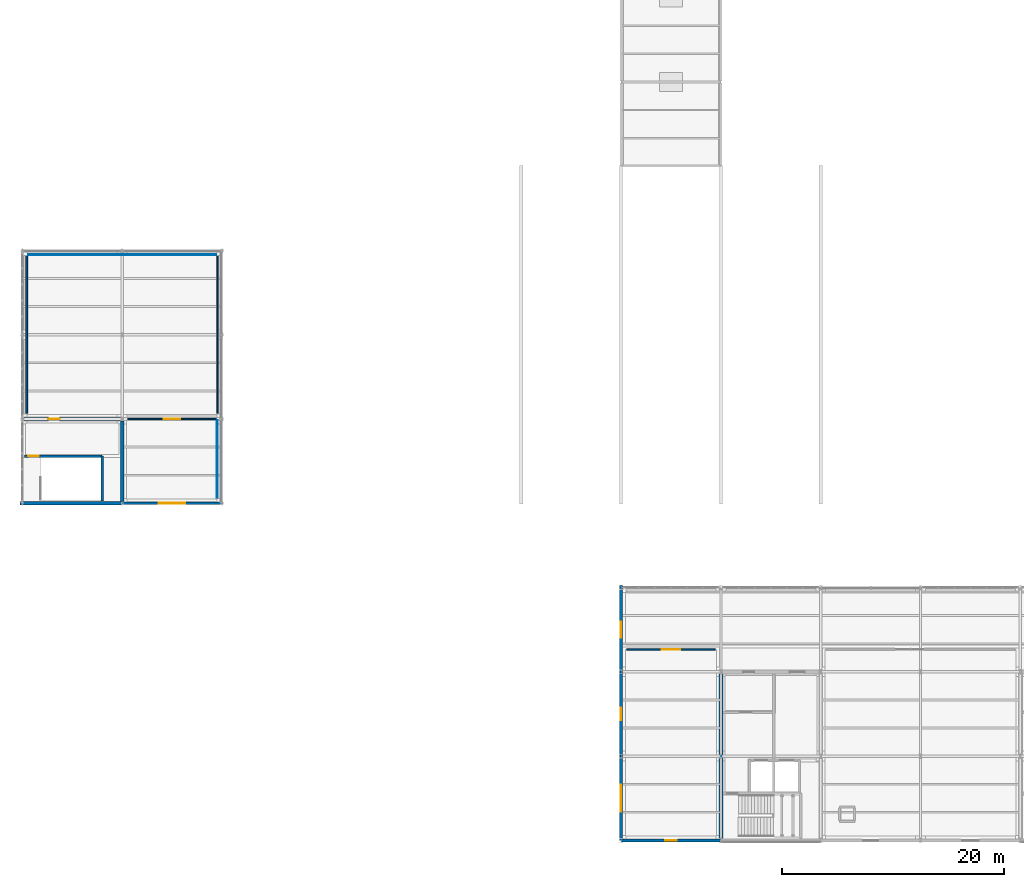
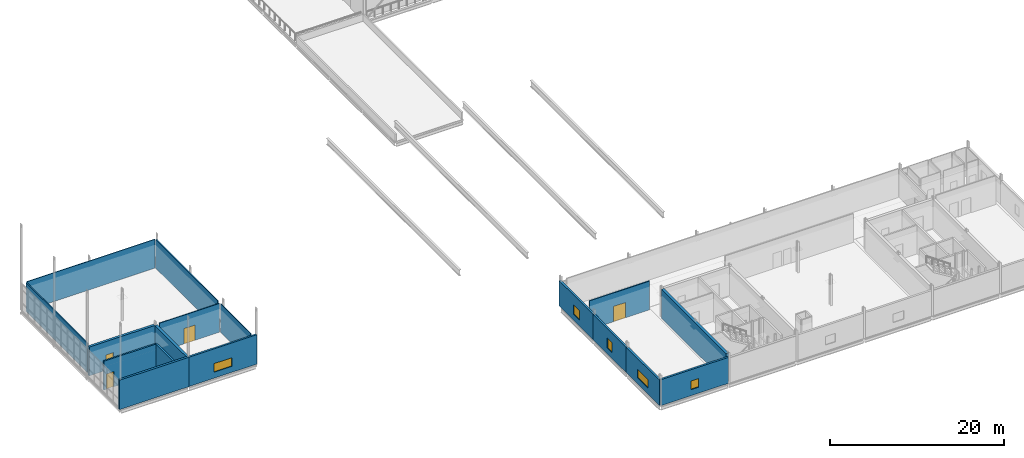
# One storey, part 85 of 96: 17 walls, 5 windows, 4 doors, 9 openings.
"""IFC4 building model written with IfcOpenShell, lengths in metres."""

from ifc_helpers import new_model, si_unit, direction, frame, frame_2d, origin, place, context, subcontext, project, spatial, rectangle, extrude, material, layer, layer_set, type_object, element, fill, save


model = new_model("IFC4")

# Units and contexts
model_context = context("Model", 3, precision=1e-05, world=origin(), true_north=direction((0.0, 1.0)))
body_context = subcontext(model_context, "Body", "Model", "MODEL_VIEW")
ifc_project = project(units=[si_unit("LENGTHUNIT", "METRE"), si_unit("AREAUNIT", "SQUARE_METRE"), si_unit("VOLUMEUNIT", "CUBIC_METRE"), si_unit("PLANEANGLEUNIT", "RADIAN"), si_unit("MASSUNIT", "GRAM", prefix="KILO")], contexts=[model_context])

# Site, building, storey
site_placement = place(None, origin())
site = spatial("IfcSite", under=ifc_project, at=site_placement, CompositionType="ELEMENT")
building_placement = place(site_placement, origin())
building = spatial("IfcBuilding", under=site, at=building_placement, Name="Caisbarro Railhouse Central Library", CompositionType="ELEMENT")
storey_placement = place(building_placement, frame((0.0, 0.0, 13.679931640625)))
storey = spatial("IfcBuildingStorey", under=building, at=storey_placement, Name="L03", CompositionType="ELEMENT", Elevation=13.679931640625)

# Wall, opening, door
ifc_material_1 = material(Name="Concrete C40", Category="concrete")
ifc_layer_1 = layer(ifc_material_1, 0.320068359375, Name="Concrete C40")
ifc_layer_set_1 = layer_set([ifc_layer_1], Name="Concrete C40")
wall_type_1 = type_object("IfcWallType", Name="WAL-CW32", PredefinedType="SHEAR", material=ifc_layer_set_1)
wall_1_placement = place(storey_placement, frame((0.159912109375, 38.0, 0.0), z_axis=(0.0, 0.0, 1.0), x_axis=(1.0, 0.0, 0.0)))
wall_1 = element("IfcWall", 1, at=wall_1_placement, inside=storey, type_object=wall_type_1, Name="CW32 RC core shear wall L03 #88", PredefinedType="SHEAR", context=body_context, shape_type="SweptSolid", body=[
    extrude(rectangle(XDim=8.68017578125, YDim=0.320068359375, at=frame_2d((4.340087890625, 0.0))), origin(), (0.0, 0.0, 1.0), 4.0400390625),
])
opening_1_placement = place(wall_1_placement, frame((2.199951171875, 0.0, 0.0)))
opening_1 = element("IfcOpeningElement", 2, at=opening_1_placement, cuts=wall_1, Name="Opening FD05", PredefinedType="OPENING", context=body_context, shape_type="SweptSolid", body=[
    extrude(rectangle(XDim=1.0, YDim=2.14990234375, at=frame_2d((0.5, 1.074951171875))), frame((0.0, 0.169921875, 0.0), z_axis=(0.0, -1.0, 0.0), x_axis=(1.0, 0.0, 0.0)), (0.0, 0.0, 1.0), 0.340087890625),
])
ifc_material_2 = material(Name="Fire-rated painted galvanised steel", Category="steel")
door_type_1 = type_object("IfcDoorType", Name="DR-FD05", OperationType="NOTDEFINED", PredefinedType="DOOR", material=ifc_material_2)
door_1_placement = place(opening_1_placement, origin())
door_1 = element("IfcDoor", 3, at=door_1_placement, inside=storey, type_object=door_type_1, Name="Core K6 Lobby Door FD05 L03-126", OperationType="SINGLE_SWING_LEFT", OverallHeight=2.14990234375, OverallWidth=1.0, PredefinedType="DOOR", context=body_context, shape_type="SweptSolid", body=[
    extrude(rectangle(XDim=1.0, YDim=2.14990234375, at=frame_2d((0.5, 1.074951171875))), frame((0.0, 0.02490234375, 0.0), z_axis=(0.0, -1.0, 0.0), x_axis=(1.0, 0.0, 0.0)), (0.0, 0.0, 1.0), 0.050048828125),
])
fill(opening_1, door_1)

# Walls
wall_2_placement = place(storey_placement, frame((9.0, 30.56005859375, 0.0), z_axis=(0.0, 0.0, 1.0), x_axis=(0.0, 1.0, 0.0)))
element("IfcWall", 4, at=wall_2_placement, inside=storey, type_object=wall_type_1, Name="CW32 RC core shear wall L03 #89", PredefinedType="SHEAR", context=body_context, shape_type="SweptSolid", body=[
    extrude(rectangle(XDim=7.280029296875, YDim=0.320068359375, at=frame_2d((3.64013671875, 0.0))), origin(), (0.0, 0.0, 1.0), 4.0400390625),
])
ifc_layer_2 = layer(ifc_material_1, 0.35009765625, Name="Concrete C40")
ifc_layer_set_2 = layer_set([ifc_layer_2], Name="Concrete C40")
wall_type_2 = type_object("IfcWallType", Name="WAL-CW35", PredefinedType="SHEAR", material=ifc_layer_set_2)
wall_3_placement = place(storey_placement, frame((63.0, 0.159912109375, 0.0), z_axis=(0.0, 0.0, 1.0), x_axis=(0.0, 1.0, 0.0)))
element("IfcWall", 5, at=wall_3_placement, inside=storey, type_object=wall_type_2, Name="CW35 RC core shear wall L03 #14", PredefinedType="SHEAR", context=body_context, shape_type="SweptSolid", body=[
    extrude(rectangle(XDim=14.880126953125, YDim=0.35009765625, at=frame_2d((7.43994140625, 0.0))), origin(), (0.0, 0.0, 1.0), 4.0400390625),
])

# Wall, opening, window
ifc_material_3 = material(Name="Concrete C35 insulated architectural precast", Category="concrete")
ifc_layer_3 = layer(ifc_material_3, 0.239990234375, Name="Concrete C35 insulated architectural precast")
ifc_layer_set_3 = layer_set([ifc_layer_3], Name="Concrete C35 insulated architectural precast")
wall_type_3 = type_object("IfcWallType", Name="WAL-EW24", PredefinedType="STANDARD", material=ifc_layer_set_3)
wall_4_placement = place(storey_placement, frame((9.0, 30.39990234375, 0.0), z_axis=(0.0, 0.0, 1.0), x_axis=(1.0, 0.0, 0.0)))
wall_4 = element("IfcWall", 6, at=wall_4_placement, inside=storey, type_object=wall_type_3, Name="EW24 exterior wall L03 #38", PredefinedType="STANDARD", context=body_context, shape_type="SweptSolid", body=[
    extrude(rectangle(XDim=9.0, YDim=0.239990234375, at=frame_2d((4.5, 0.0))), origin(), (0.0, 0.0, 1.0), 4.1201171875),
])
opening_2_placement = place(wall_4_placement, frame((3.300048828125, 0.0, 0.85009765625)))
opening_2 = element("IfcOpeningElement", 7, at=opening_2_placement, cuts=wall_4, Name="Opening W09", PredefinedType="OPENING", context=body_context, shape_type="SweptSolid", body=[
    extrude(rectangle(XDim=2.39990234375, YDim=1.199951171875, at=frame_2d((1.199951171875, 0.60009765625))), frame((0.0, 0.1298828125, 0.0), z_axis=(0.0, -1.0, 0.0), x_axis=(1.0, 0.0, 0.0)), (0.0, 0.0, 1.0), 0.260009765625),
])
ifc_material_4 = material(Name="Double low-e laminated solar-control glass", Category="glass")
window_type_1 = type_object("IfcWindowType", Name="WIN-W09", PartitioningType="SINGLE_PANEL", PredefinedType="WINDOW", material=ifc_material_4)
window_1_placement = place(opening_2_placement, origin())
window_1 = element("IfcWindow", 8, at=window_1_placement, inside=storey, type_object=window_type_1, Name="W09 window L03-001", OverallHeight=1.199951171875, OverallWidth=2.39990234375, PartitioningType="SINGLE_PANEL", PredefinedType="WINDOW", context=body_context, shape_type="SweptSolid", body=[
    extrude(rectangle(XDim=2.39990234375, YDim=1.199951171875, at=frame_2d((1.199951171875, 0.60009765625))), frame((0.0, 0.030029296875, 0.0), z_axis=(0.0, -1.0, 0.0), x_axis=(1.0, 0.0, 0.0)), (0.0, 0.0, 1.0), 0.06005859375),
])
fill(opening_2, window_1)

ifc_layer_4 = layer(ifc_material_3, 0.260009765625, Name="Concrete C35 insulated architectural precast")
ifc_layer_set_4 = layer_set([ifc_layer_4], Name="Concrete C35 insulated architectural precast")
wall_type_4 = type_object("IfcWallType", Name="WAL-EW26", PredefinedType="STANDARD", material=ifc_layer_set_4)
wall_5_placement = place(storey_placement, frame((54.0, 0.0, 0.0), z_axis=(0.0, 0.0, 1.0), x_axis=(1.0, 0.0, 0.0)))
wall_5 = element("IfcWall", 9, at=wall_5_placement, inside=storey, type_object=wall_type_4, Name="EW26 exterior wall L03 #105", PredefinedType="STANDARD", context=body_context, shape_type="SweptSolid", body=[
    extrude(rectangle(XDim=9.0, YDim=0.260009765625, at=frame_2d((4.5, 0.0))), origin(), (0.0, 0.0, 1.0), 3.64111328125),
])
opening_3_placement = place(wall_5_placement, frame((3.97509765625, 0.0, 0.85009765625)))
opening_3 = element("IfcOpeningElement", 10, at=opening_3_placement, cuts=wall_5, Name="Opening W02", PredefinedType="OPENING", context=body_context, shape_type="SweptSolid", body=[
    extrude(rectangle(XDim=1.050048828125, YDim=1.199951171875, at=frame_2d((0.52490234375, 0.60009765625))), frame((0.0, 0.14013671875, 0.0), z_axis=(0.0, -1.0, 0.0), x_axis=(1.0, 0.0, 0.0)), (0.0, 0.0, 1.0), 0.280029296875),
])
window_type_2 = type_object("IfcWindowType", Name="WIN-W02", PartitioningType="SINGLE_PANEL", PredefinedType="WINDOW", material=ifc_material_4)
window_2_placement = place(opening_3_placement, origin())
window_2 = element("IfcWindow", 11, at=window_2_placement, inside=storey, type_object=window_type_2, Name="W02 window L03-027", OverallHeight=1.199951171875, OverallWidth=1.050048828125, PartitioningType="SINGLE_PANEL", PredefinedType="WINDOW", context=body_context, shape_type="SweptSolid", body=[
    extrude(rectangle(XDim=1.050048828125, YDim=1.199951171875, at=frame_2d((0.52490234375, 0.60009765625))), frame((0.0, 0.030029296875, 0.0), z_axis=(0.0, -1.0, 0.0), x_axis=(1.0, 0.0, 0.0)), (0.0, 0.0, 1.0), 0.06005859375),
])
fill(opening_3, window_2)

wall_6_placement = place(storey_placement, frame((54.0, 0.0, 0.0), z_axis=(0.0, 0.0, 1.0), x_axis=(0.0, 1.0, 0.0)))
wall_6 = element("IfcWall", 12, at=wall_6_placement, inside=storey, type_object=wall_type_4, Name="EW26 exterior wall L03 #112", PredefinedType="STANDARD", context=body_context, shape_type="SweptSolid", body=[
    extrude(rectangle(XDim=7.60009765625, YDim=0.260009765625, at=frame_2d((3.800048828125, 0.0))), origin(), (0.0, 0.0, 1.0), 3.553955078125),
])
opening_4_placement = place(wall_6_placement, frame((2.60009765625, 0.0, 0.85009765625)))
opening_4 = element("IfcOpeningElement", 13, at=opening_4_placement, cuts=wall_6, Name="Opening W09", PredefinedType="OPENING", context=body_context, shape_type="SweptSolid", body=[
    extrude(rectangle(XDim=2.39990234375, YDim=1.199951171875, at=frame_2d((1.199951171875, 0.60009765625))), frame((0.0, 0.14013671875, 0.0), z_axis=(0.0, -1.0, 0.0), x_axis=(1.0, 0.0, 0.0)), (0.0, 0.0, 1.0), 0.280029296875),
])
window_3_placement = place(opening_4_placement, origin())
window_3 = element("IfcWindow", 14, at=window_3_placement, inside=storey, type_object=window_type_1, Name="W09 window L03-032", OverallHeight=1.199951171875, OverallWidth=2.39990234375, PartitioningType="SINGLE_PANEL", PredefinedType="WINDOW", context=body_context, shape_type="SweptSolid", body=[
    extrude(rectangle(XDim=2.39990234375, YDim=1.199951171875, at=frame_2d((1.199951171875, 0.60009765625))), frame((0.0, 0.030029296875, 0.0), z_axis=(0.0, -1.0, 0.0), x_axis=(1.0, 0.0, 0.0)), (0.0, 0.0, 1.0), 0.06005859375),
])
fill(opening_4, window_3)

wall_7_placement = place(storey_placement, frame((54.0, 7.60009765625, 0.0), z_axis=(0.0, 0.0, 1.0), x_axis=(0.0, 1.0, 0.0)))
wall_7 = element("IfcWall", 15, at=wall_7_placement, inside=storey, type_object=wall_type_4, Name="EW26 exterior wall L03 #114", PredefinedType="STANDARD", context=body_context, shape_type="SweptSolid", body=[
    extrude(rectangle(XDim=7.599853515625, YDim=0.260009765625, at=frame_2d((3.7998046875, 0.0))), origin(), (0.0, 0.0, 1.0), 3.553955078125),
])
opening_5_placement = place(wall_7_placement, frame((3.22509765625, 0.0, 0.85009765625)))
opening_5 = element("IfcOpeningElement", 16, at=opening_5_placement, cuts=wall_7, Name="Opening W11", PredefinedType="OPENING", context=body_context, shape_type="SweptSolid", body=[
    extrude(rectangle(XDim=1.14990234375, YDim=1.35009765625, at=frame_2d((0.574951171875, 0.675048828125))), frame((0.0, 0.14013671875, 0.0), z_axis=(0.0, -1.0, 0.0), x_axis=(1.0, 0.0, 0.0)), (0.0, 0.0, 1.0), 0.280029296875),
])
window_type_3 = type_object("IfcWindowType", Name="WIN-W11", PartitioningType="SINGLE_PANEL", PredefinedType="WINDOW", material=ifc_material_4)
window_4_placement = place(opening_5_placement, origin())
window_4 = element("IfcWindow", 17, at=window_4_placement, inside=storey, type_object=window_type_3, Name="W11 window L03-034", OverallHeight=1.35009765625, OverallWidth=1.14990234375, PartitioningType="SINGLE_PANEL", PredefinedType="WINDOW", context=body_context, shape_type="SweptSolid", body=[
    extrude(rectangle(XDim=1.14990234375, YDim=1.35009765625, at=frame_2d((0.574951171875, 0.675048828125))), frame((0.0, 0.030029296875, 0.0), z_axis=(0.0, -1.0, 0.0), x_axis=(1.0, 0.0, 0.0)), (0.0, 0.0, 1.0), 0.06005859375),
])
fill(opening_5, window_4)

wall_8_placement = place(storey_placement, frame((54.0, 15.199951171875, 0.0), z_axis=(0.0, 0.0, 1.0), x_axis=(0.0, 1.0, 0.0)))
wall_8 = element("IfcWall", 18, at=wall_8_placement, inside=storey, type_object=wall_type_4, Name="EW26 exterior wall L03 #116", PredefinedType="STANDARD", context=body_context, shape_type="SweptSolid", body=[
    extrude(rectangle(XDim=7.81005859375, YDim=0.260009765625, at=frame_2d((3.905029296875, 0.0))), origin(), (0.0, 0.0, 1.0), 3.553955078125),
])
opening_6_placement = place(wall_8_placement, frame((3.074951171875, 0.0, 0.85009765625)))
opening_6 = element("IfcOpeningElement", 19, at=opening_6_placement, cuts=wall_8, Name="Opening W13", PredefinedType="OPENING", context=body_context, shape_type="SweptSolid", body=[
    extrude(rectangle(XDim=1.449951171875, YDim=1.35009765625, at=frame_2d((0.72509765625, 0.675048828125))), frame((0.0, 0.14013671875, 0.0), z_axis=(0.0, -1.0, 0.0), x_axis=(1.0, 0.0, 0.0)), (0.0, 0.0, 1.0), 0.280029296875),
])
window_type_4 = type_object("IfcWindowType", Name="WIN-W13", PartitioningType="SINGLE_PANEL", PredefinedType="WINDOW", material=ifc_material_4)
window_5_placement = place(opening_6_placement, origin())
window_5 = element("IfcWindow", 20, at=window_5_placement, inside=storey, type_object=window_type_4, Name="W13 window L03-036", OverallHeight=1.35009765625, OverallWidth=1.449951171875, PartitioningType="SINGLE_PANEL", PredefinedType="WINDOW", context=body_context, shape_type="SweptSolid", body=[
    extrude(rectangle(XDim=1.449951171875, YDim=1.35009765625, at=frame_2d((0.72509765625, 0.675048828125))), frame((0.0, 0.030029296875, 0.0), z_axis=(0.0, -1.0, 0.0), x_axis=(1.0, 0.0, 0.0)), (0.0, 0.0, 1.0), 0.06005859375),
])
fill(opening_6, window_5)

# Walls
ifc_layer_5 = layer(ifc_material_1, 0.280029296875, Name="Concrete C40")
ifc_layer_set_5 = layer_set([ifc_layer_5], Name="Concrete C40")
wall_type_5 = type_object("IfcWallType", Name="WAL-EW28", PredefinedType="SOLIDWALL", material=ifc_layer_set_5)
wall_9_placement = place(storey_placement, frame((-0.2099609375, 30.39990234375, 0.0), z_axis=(0.0, 0.0, 1.0), x_axis=(1.0, 0.0, 0.0)))
element("IfcWall", 21, at=wall_9_placement, inside=storey, type_object=wall_type_5, Name="EW28 exterior wall L03 #37", PredefinedType="SOLIDWALL", context=body_context, shape_type="SweptSolid", body=[
    extrude(rectangle(XDim=9.2099609375, YDim=0.280029296875, at=frame_2d((4.60498046875, 0.0))), origin(), (0.0, 0.0, 1.0), 4.1201171875),
])
ifc_material_5 = material(Name="Acoustic gypsum board on galvanised steel studs", Category="steel")
ifc_layer_6 = layer(ifc_material_5, 0.090087890625, Name="Acoustic gypsum board on galvanised steel studs")
ifc_layer_set_6 = layer_set([ifc_layer_6], Name="Acoustic gypsum board on galvanised steel studs")
wall_type_6 = type_object("IfcWallType", Name="WAL-IW09", PredefinedType="PARTITIONING", material=ifc_layer_set_6)
wall_10_placement = place(storey_placement, frame((17.60009765625, 30.919921875, 0.0), z_axis=(0.0, 0.0, 1.0), x_axis=(0.0, 1.0, 0.0)))
element("IfcWall", 22, at=wall_10_placement, inside=storey, type_object=wall_type_6, Name="IW09 partition wall L03 #544", PredefinedType="PARTITIONING", context=body_context, shape_type="SweptSolid", body=[
    extrude(rectangle(XDim=6.9599609375, YDim=0.090087890625, at=frame_2d((3.47998046875, 0.0))), origin(), (0.0, 0.0, 1.0), 4.0400390625),
])
wall_11_placement = place(storey_placement, frame((0.52001953125, 52.800048828125, 0.0), z_axis=(0.0, 0.0, 1.0), x_axis=(1.0, 0.0, 0.0)))
element("IfcWall", 23, at=wall_11_placement, inside=storey, type_object=wall_type_6, Name="IW09 partition wall L03 #592", PredefinedType="PARTITIONING", context=body_context, shape_type="SweptSolid", body=[
    extrude(rectangle(XDim=16.9599609375, YDim=0.090087890625, at=frame_2d((8.47998046875, 0.0))), origin(), (0.0, 0.0, 1.0), 4.0400390625),
])

# Wall, opening, door
ifc_layer_7 = layer(ifc_material_5, 0.110107421875, Name="Acoustic gypsum board on galvanised steel studs")
ifc_layer_set_7 = layer_set([ifc_layer_7], Name="Acoustic gypsum board on galvanised steel studs")
wall_type_7 = type_object("IfcWallType", Name="WAL-IW11", PredefinedType="PARTITIONING", material=ifc_layer_set_7)
wall_12_placement = place(storey_placement, frame((9.52001953125, 38.0, 0.0), z_axis=(0.0, 0.0, 1.0), x_axis=(1.0, 0.0, 0.0)))
wall_12 = element("IfcWall", 24, at=wall_12_placement, inside=storey, type_object=wall_type_7, Name="IW11 partition wall L03 #543", PredefinedType="PARTITIONING", context=body_context, shape_type="SweptSolid", body=[
    extrude(rectangle(XDim=7.9599609375, YDim=0.110107421875, at=frame_2d((3.97998046875, 0.0))), origin(), (0.0, 0.0, 1.0), 4.0400390625),
])
opening_7_placement = place(wall_12_placement, frame((3.2548828125, 0.0, 0.0)))
opening_7 = element("IfcOpeningElement", 25, at=opening_7_placement, cuts=wall_12, Name="Opening ID33", PredefinedType="OPENING", context=body_context, shape_type="SweptSolid", body=[
    extrude(rectangle(XDim=1.449951171875, YDim=2.14990234375, at=frame_2d((0.72509765625, 1.074951171875))), frame((0.0, 0.06494140625, 0.0), z_axis=(0.0, -1.0, 0.0), x_axis=(1.0, 0.0, 0.0)), (0.0, 0.0, 1.0), 0.130126953125),
])
ifc_material_6 = material(Name="Solid-core tropical hardwood veneer", Category="wood")
door_type_2 = type_object("IfcDoorType", Name="DR-ID33", OperationType="NOTDEFINED", PredefinedType="DOOR", material=ifc_material_6)
door_2_placement = place(opening_7_placement, origin())
door_2 = element("IfcDoor", 26, at=door_2_placement, inside=storey, type_object=door_type_2, Name="Poetry and Rare Literature Alcove Door ID33 L03-308", OperationType="SINGLE_SWING_RIGHT", OverallHeight=2.14990234375, OverallWidth=1.449951171875, PredefinedType="DOOR", context=body_context, shape_type="SweptSolid", body=[
    extrude(rectangle(XDim=1.449951171875, YDim=2.14990234375, at=frame_2d((0.72509765625, 1.074951171875))), frame((0.0, 0.02490234375, 0.0), z_axis=(0.0, -1.0, 0.0), x_axis=(1.0, 0.0, 0.0)), (0.0, 0.0, 1.0), 0.050048828125),
])
fill(opening_7, door_2)

ifc_layer_8 = layer(ifc_material_5, 0.1298828125, Name="Acoustic gypsum board on galvanised steel studs")
ifc_layer_set_8 = layer_set([ifc_layer_8], Name="Acoustic gypsum board on galvanised steel studs")
wall_type_8 = type_object("IfcWallType", Name="WAL-IW13", PredefinedType="PARTITIONING", material=ifc_layer_set_8)
wall_13_placement = place(storey_placement, frame((54.52001953125, 17.199951171875, 0.0), z_axis=(0.0, 0.0, 1.0), x_axis=(1.0, 0.0, 0.0)))
wall_13 = element("IfcWall", 27, at=wall_13_placement, inside=storey, type_object=wall_type_8, Name="IW13 partition wall L03 #546", PredefinedType="PARTITIONING", context=body_context, shape_type="SweptSolid", body=[
    extrude(rectangle(XDim=7.9599609375, YDim=0.1298828125, at=frame_2d((3.97998046875, 0.0))), origin(), (0.0, 0.0, 1.0), 4.0400390625),
])
opening_8_placement = place(wall_13_placement, frame((3.1650390625, 0.0, 0.0)))
opening_8 = element("IfcOpeningElement", 28, at=opening_8_placement, cuts=wall_13, Name="Opening ID35", PredefinedType="OPENING", context=body_context, shape_type="SweptSolid", body=[
    extrude(rectangle(XDim=1.6298828125, YDim=2.14990234375, at=frame_2d((0.81494140625, 1.074951171875))), frame((0.0, 0.074951171875, 0.0), z_axis=(0.0, -1.0, 0.0), x_axis=(1.0, 0.0, 0.0)), (0.0, 0.0, 1.0), 0.14990234375),
])
door_type_3 = type_object("IfcDoorType", Name="DR-ID35", OperationType="NOTDEFINED", PredefinedType="DOOR", material=ifc_material_6)
door_3_placement = place(opening_8_placement, origin())
door_3 = element("IfcDoor", 29, at=door_3_placement, inside=storey, type_object=door_type_3, Name="Digitisation and Microfilm Studio Door ID35 L03-310", OperationType="SINGLE_SWING_RIGHT", OverallHeight=2.14990234375, OverallWidth=1.6298828125, PredefinedType="DOOR", context=body_context, shape_type="SweptSolid", body=[
    extrude(rectangle(XDim=1.6298828125, YDim=2.14990234375, at=frame_2d((0.81494140625, 1.074951171875))), frame((0.0, 0.02490234375, 0.0), z_axis=(0.0, -1.0, 0.0), x_axis=(1.0, 0.0, 0.0)), (0.0, 0.0, 1.0), 0.050048828125),
])
fill(opening_8, door_3)

# Walls
wall_14_placement = place(storey_placement, frame((17.60009765625, 38.52001953125, 0.0), z_axis=(0.0, 0.0, 1.0), x_axis=(0.0, 1.0, 0.0)))
element("IfcWall", 30, at=wall_14_placement, inside=storey, type_object=wall_type_8, Name="IW13 partition wall L03 #594", PredefinedType="PARTITIONING", context=body_context, shape_type="SweptSolid", body=[
    extrude(rectangle(XDim=14.159912109375, YDim=0.1298828125, at=frame_2d((7.080078125, 0.0))), origin(), (0.0, 0.0, 1.0), 4.0400390625),
])
ifc_layer_9 = layer(ifc_material_5, 0.14990234375, Name="Acoustic gypsum board on galvanised steel studs")
ifc_layer_set_9 = layer_set([ifc_layer_9], Name="Acoustic gypsum board on galvanised steel studs")
wall_type_9 = type_object("IfcWallType", Name="WAL-IW15", PredefinedType="PARTITIONING", material=ifc_layer_set_9)
wall_15_placement = place(storey_placement, frame((0.39990234375, 38.52001953125, 0.0), z_axis=(0.0, 0.0, 1.0), x_axis=(0.0, 1.0, 0.0)))
element("IfcWall", 31, at=wall_15_placement, inside=storey, type_object=wall_type_9, Name="IW15 partition wall L03 #593", PredefinedType="PARTITIONING", context=body_context, shape_type="SweptSolid", body=[
    extrude(rectangle(XDim=14.159912109375, YDim=0.14990234375, at=frame_2d((7.080078125, 0.0))), origin(), (0.0, 0.0, 1.0), 4.0400390625),
])

# Wall, opening, door
ifc_layer_10 = layer(ifc_material_1, 0.2099609375, Name="Concrete C40")
ifc_layer_set_10 = layer_set([ifc_layer_10], Name="Concrete C40")
wall_type_10 = type_object("IfcWallType", Name="WAL-SW21", PredefinedType="SOLIDWALL", material=ifc_layer_set_10)
wall_16_placement = place(storey_placement, frame((0.199951171875, 34.64990234375, 0.0), z_axis=(0.0, 0.0, 1.0), x_axis=(1.0, 0.0, 0.0)))
wall_16 = element("IfcWall", 32, at=wall_16_placement, inside=storey, type_object=wall_type_10, Name="SW21 core shaft wall L03 #149", PredefinedType="SOLIDWALL", context=body_context, shape_type="SweptSolid", body=[
    extrude(rectangle(XDim=7.0, YDim=0.2099609375, at=frame_2d((3.5, 0.0))), origin(), (0.0, 0.0, 1.0), 4.0400390625),
])
opening_9_placement = place(wall_16_placement, frame((0.35009765625, 0.0, 0.0)))
opening_9 = element("IfcOpeningElement", 33, at=opening_9_placement, cuts=wall_16, Name="Opening FD01", PredefinedType="OPENING", context=body_context, shape_type="SweptSolid", body=[
    extrude(rectangle(XDim=0.949951171875, YDim=2.1201171875, at=frame_2d((0.47509765625, 1.06005859375))), frame((0.0, 0.114990234375, 0.0), z_axis=(0.0, -1.0, 0.0), x_axis=(1.0, 0.0, 0.0)), (0.0, 0.0, 1.0), 0.22998046875),
])
door_type_4 = type_object("IfcDoorType", Name="DR-FD01", OperationType="NOTDEFINED", PredefinedType="DOOR", material=ifc_material_2)
door_4_placement = place(opening_9_placement, origin())
door_4 = element("IfcDoor", 34, at=door_4_placement, inside=storey, type_object=door_type_4, Name="Stair ST-06 Fire Door FD01 L03-125", OperationType="SINGLE_SWING_RIGHT", OverallHeight=2.1201171875, OverallWidth=0.949951171875, PredefinedType="DOOR", context=body_context, shape_type="SweptSolid", body=[
    extrude(rectangle(XDim=0.949951171875, YDim=2.1201171875, at=frame_2d((0.47509765625, 1.06005859375))), frame((0.0, 0.02490234375, 0.0), z_axis=(0.0, -1.0, 0.0), x_axis=(1.0, 0.0, 0.0)), (0.0, 0.0, 1.0), 0.050048828125),
])
fill(opening_9, door_4)

# Wall
wall_17_placement = place(storey_placement, frame((7.199951171875, 30.60009765625, 0.0), z_axis=(0.0, 0.0, 1.0), x_axis=(0.0, 1.0, 0.0)))
element("IfcWall", 35, at=wall_17_placement, inside=storey, type_object=wall_type_10, Name="SW21 core shaft wall L03 #150", PredefinedType="SOLIDWALL", context=body_context, shape_type="SweptSolid", body=[
    extrude(rectangle(XDim=4.0498046875, YDim=0.2099609375, at=frame_2d((2.02490234375, 0.0))), origin(), (0.0, 0.0, 1.0), 4.0400390625),
])

save(model, "model.ifc")
